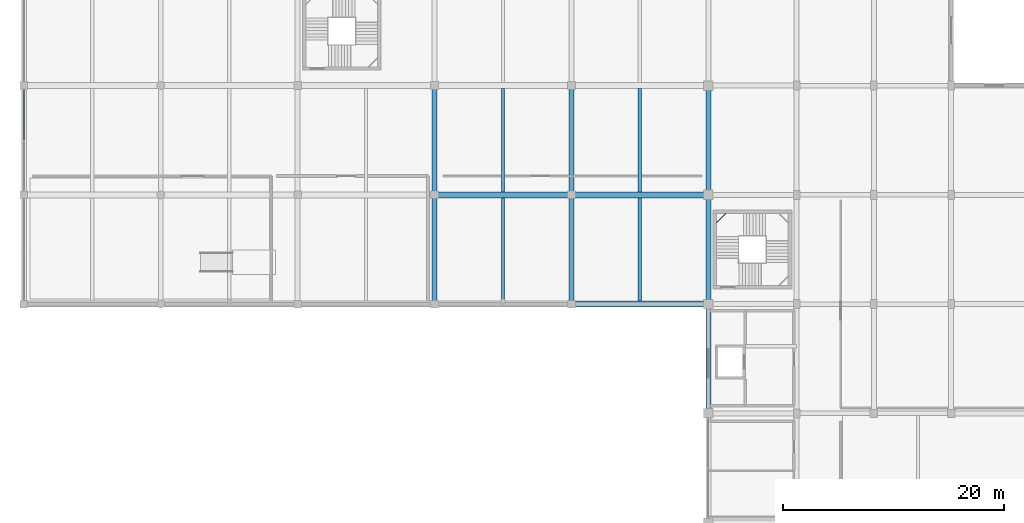
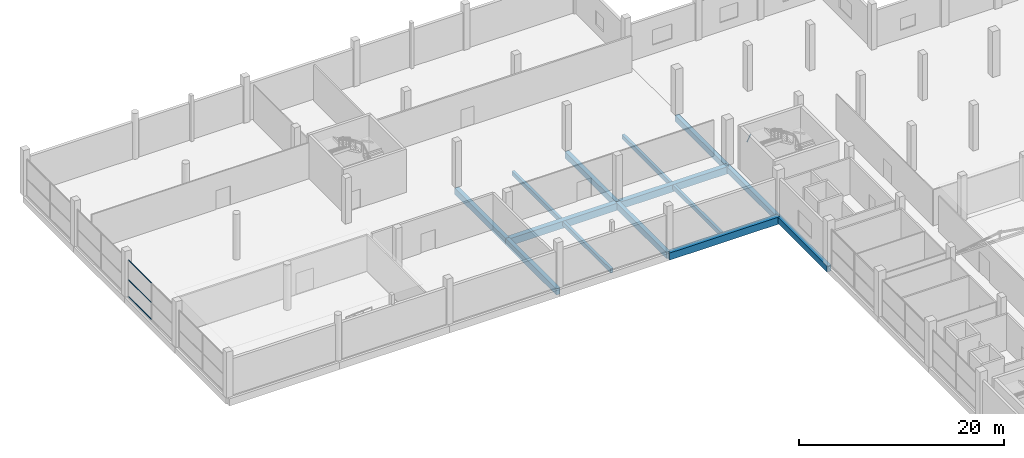
# One storey, part 21 of 72: 15 beams, 3 members, 1 element without a shape of its own.
"""IFC4 building model written with IfcOpenShell, lengths in metres."""

from ifc_helpers import new_model, si_unit, direction, frame, origin, origin_2d, place, context, subcontext, project, spatial, rectangle, hollow_rectangle, extrude, material, layer, layer_set, material_profile, profile_set, type_object, element, aggregate, save


model = new_model("IFC4")

# Units and contexts
model_context = context("Model", 3, precision=1e-05, world=origin(), true_north=direction((0.0, 1.0)))
body_context = subcontext(model_context, "Body", "Model", "MODEL_VIEW")
ifc_project = project(units=[si_unit("LENGTHUNIT", "METRE"), si_unit("AREAUNIT", "SQUARE_METRE"), si_unit("VOLUMEUNIT", "CUBIC_METRE"), si_unit("PLANEANGLEUNIT", "RADIAN"), si_unit("MASSUNIT", "GRAM", prefix="KILO")], contexts=[model_context])

# Site, building, storey
site_placement = place(None, origin())
site = spatial("IfcSite", under=ifc_project, at=site_placement, CompositionType="ELEMENT")
building_placement = place(site_placement, origin())
building = spatial("IfcBuilding", under=site, at=building_placement, Name="Sillaruma Civic Art Gallery", CompositionType="ELEMENT")
storey_placement = place(building_placement, frame((0.0, 0.0, 10.8798828125)))
storey = spatial("IfcBuildingStorey", under=building, at=storey_placement, Name="L02", CompositionType="ELEMENT", Elevation=10.8798828125)

# Beams
ifc_material_1 = material(Name="Concrete H40 (40 MPa)", Category="concrete")
ifc_material_profile_1 = material_profile(ifc_material_1, rectangle(XDim=0.449951171875, YDim=0.75, at=origin_2d()), Name="RCB450x750")
ifc_profile_set_1 = profile_set([ifc_material_profile_1], Name="Concrete H40 (40 MPa)")
beam_type_1 = type_object("IfcBeamType", Name="BM-BEAM-RCB450x750", PredefinedType="BEAM", material=ifc_profile_set_1)
beam_1_placement = place(storey_placement, frame((37.199951171875, 79.199951171875, -0.634765625), z_axis=(0.0, 1.0, 0.0), x_axis=(-1.0, 0.0, 0.0)))
element("IfcBeam", 1, at=beam_1_placement, inside=storey, type_object=beam_type_1, Name="Beam BM-03 (L01:D:9-10)", PredefinedType="BEAM", context=body_context, shape_type="SweptSolid", body=[
    extrude(rectangle(XDim=0.449951171875, YDim=0.75, at=origin_2d()), origin(), (0.0, 0.0, 1.0), 9.900146484375),
])
beam_2_placement = place(storey_placement, frame((37.199951171875, 89.10009765625, -0.634765625), z_axis=(0.0, 1.0, 0.0), x_axis=(-1.0, 0.0, 0.0)))
element("IfcBeam", 2, at=beam_2_placement, inside=storey, type_object=beam_type_1, Name="Beam BM-03 (L01:D:10-11)", PredefinedType="BEAM", context=body_context, shape_type="SweptSolid", body=[
    extrude(rectangle(XDim=0.449951171875, YDim=0.75, at=origin_2d()), origin(), (0.0, 0.0, 1.0), 9.89990234375),
])
beam_3_placement = place(storey_placement, frame((49.60009765625, 79.199951171875, -0.634765625), z_axis=(0.0, 1.0, 0.0), x_axis=(-1.0, 0.0, 0.0)))
element("IfcBeam", 3, at=beam_3_placement, inside=storey, type_object=beam_type_1, Name="Beam BM-03 (L01:E:9-10)", PredefinedType="BEAM", context=body_context, shape_type="SweptSolid", body=[
    extrude(rectangle(XDim=0.449951171875, YDim=0.75, at=origin_2d()), origin(), (0.0, 0.0, 1.0), 9.900146484375),
])
beam_4_placement = place(storey_placement, frame((49.60009765625, 89.10009765625, -0.634765625), z_axis=(0.0, 1.0, 0.0), x_axis=(-1.0, 0.0, 0.0)))
element("IfcBeam", 4, at=beam_4_placement, inside=storey, type_object=beam_type_1, Name="Beam BM-03 (L01:E:10-11)", PredefinedType="BEAM", context=body_context, shape_type="SweptSolid", body=[
    extrude(rectangle(XDim=0.449951171875, YDim=0.75, at=origin_2d()), origin(), (0.0, 0.0, 1.0), 9.89990234375),
])
ifc_material_profile_2 = material_profile(ifc_material_1, rectangle(XDim=0.550048828125, YDim=0.85009765625, at=origin_2d()), Name="RCB550x850")
ifc_profile_set_2 = profile_set([ifc_material_profile_2], Name="Concrete H40 (40 MPa)")
beam_type_2 = type_object("IfcBeamType", Name="BM-BEAM-RCB550x850", PredefinedType="BEAM", material=ifc_profile_set_2)
beam_5_placement = place(storey_placement, frame((49.60009765625, 79.199951171875, -0.684814453125), z_axis=(1.0, 0.0, 0.0), x_axis=(0.0, 1.0, 0.0)))
element("IfcBeam", 5, at=beam_5_placement, inside=storey, type_object=beam_type_2, Name="Beam BM-01 (L01:9:E-F)", PredefinedType="BEAM", context=body_context, shape_type="SweptSolid", body=[
    extrude(rectangle(XDim=0.550048828125, YDim=0.85009765625, at=origin_2d()), origin(), (0.0, 0.0, 1.0), 12.39990234375),
])
beam_6_placement = place(storey_placement, frame((37.199951171875, 89.10009765625, -0.684814453125), z_axis=(1.0, 0.0, 0.0), x_axis=(0.0, 1.0, 0.0)))
element("IfcBeam", 6, at=beam_6_placement, inside=storey, type_object=beam_type_2, Name="Beam BM-01 (L01:10:D-E)", PredefinedType="BEAM", context=body_context, shape_type="SweptSolid", body=[
    extrude(rectangle(XDim=0.550048828125, YDim=0.85009765625, at=origin_2d()), origin(), (0.0, 0.0, 1.0), 12.400146484375),
])
beam_7_placement = place(storey_placement, frame((49.60009765625, 89.10009765625, -0.684814453125), z_axis=(1.0, 0.0, 0.0), x_axis=(0.0, 1.0, 0.0)))
element("IfcBeam", 7, at=beam_7_placement, inside=storey, type_object=beam_type_2, Name="Beam BM-01 (L01:10:E-F)", PredefinedType="BEAM", context=body_context, shape_type="SweptSolid", body=[
    extrude(rectangle(XDim=0.550048828125, YDim=0.85009765625, at=origin_2d()), origin(), (0.0, 0.0, 1.0), 12.39990234375),
])
ifc_material_2 = material(Name="Concrete H35 (35 MPa)", Category="concrete")
ifc_material_profile_3 = material_profile(ifc_material_2, rectangle(XDim=0.300048828125, YDim=0.52001953125, at=origin_2d()), Name="RCB300x520")
ifc_profile_set_3 = profile_set([ifc_material_profile_3], Name="Concrete H35 (35 MPa)")
beam_type_3 = type_object("IfcBeamType", Name="BM-JOIST-RCB300x520", PredefinedType="JOIST", material=ifc_profile_set_3)
for number, where, z_axis, x_axis, name in (
    (8, (43.39990234375, 79.47509765625, -0.519775390625), (0.0, 1.0, 0.0), (-1.0, 0.0, 0.0), "Floor Joist JR-01 (L01:DE:9-10)"),
    (9, (55.800048828125, 79.47509765625, -0.519775390625), (0.0, 1.0, 0.0), (-1.0, 0.0, 0.0), "Floor Joist JR-01 (L01:EF:9-10)"),
):
    element("IfcBeam", number, at=place(storey_placement, frame(where, z_axis=z_axis, x_axis=x_axis)), inside=storey, type_object=beam_type_3, Name=name, PredefinedType="JOIST", context=body_context, shape_type="SweptSolid", body=[
        extrude(rectangle(XDim=0.300048828125, YDim=0.52001953125, at=origin_2d()), origin(), (0.0, 0.0, 1.0), 9.349853515625),
    ])
for number, where, z_axis, x_axis, name in (
    (10, (43.39990234375, 89.375, -0.519775390625), (0.0, 1.0, 0.0), (-1.0, 0.0, 0.0), "Floor Joist JR-01 (L01:DE:10-11)"),
    (11, (55.800048828125, 89.375, -0.519775390625), (0.0, 1.0, 0.0), (-1.0, 0.0, 0.0), "Floor Joist JR-01 (L01:EF:10-11)"),
):
    element("IfcBeam", number, at=place(storey_placement, frame(where, z_axis=z_axis, x_axis=x_axis)), inside=storey, type_object=beam_type_3, Name=name, PredefinedType="JOIST", context=body_context, shape_type="SweptSolid", body=[
        extrude(rectangle(XDim=0.300048828125, YDim=0.52001953125, at=origin_2d()), origin(), (0.0, 0.0, 1.0), 9.35009765625),
    ])
ifc_material_3 = material(Name="Structural Steel ASTM A500 Gr.C", Category="steel")
ifc_material_profile_4 = material_profile(ifc_material_3, hollow_rectangle(XDim=0.080078125, YDim=0.159912109375, WallThickness=0.008056640625, InnerFilletRadius=0.008056640625, OuterFilletRadius=0.01611328125, at=origin_2d()), Name="HSS160x80x8")
ifc_profile_set_4 = profile_set([ifc_material_profile_4], Name="Structural Steel ASTM A500 Gr.C")
beam_type_4 = type_object("IfcBeamType", Name="BM-LND-HSS160", PredefinedType="BEAM", material=ifc_profile_set_4)
beam_8_placement = place(storey_placement, frame((62.719970703125, 86.5400390625, 3.800048828125), z_axis=(0.707203758046, 0.707009791025, 0.0), x_axis=(-0.707009791025, 0.707203758046, 0.0)))
element("IfcBeam", 12, at=beam_8_placement, inside=storey, type_object=beam_type_4, Name="Stair Corner Landing Trimmer Beam (ST-02-L02-3)", PredefinedType="BEAM", context=body_context, shape_type="SweptSolid", body=[
    extrude(hollow_rectangle(XDim=0.080078125, YDim=0.159912109375, WallThickness=0.008056640625, InnerFilletRadius=0.008056640625, OuterFilletRadius=0.01611328125, at=origin_2d()), origin(), (0.0, 0.0, 1.0), 1.2587890625),
])
ifc_material_profile_5 = material_profile(ifc_material_2, rectangle(XDim=0.449951171875, YDim=0.699951171875, at=origin_2d()), Name="RCB450x700")
ifc_profile_set_5 = profile_set([ifc_material_profile_5], Name="Concrete H35 (35 MPa)")
beam_type_5 = type_object("IfcBeamType", Name="BM-SPANDREL-RCB450x700", PredefinedType="SPANDREL", material=ifc_profile_set_5)
beam_9_placement = place(storey_placement, frame((62.0, 69.300048828125, -0.60986328125), z_axis=(0.0, 1.0, 0.0), x_axis=(-1.0, 0.0, 0.0)))
element("IfcBeam", 13, at=beam_9_placement, inside=storey, type_object=beam_type_5, Name="Beam BS-03 (L01:F:8-9)", PredefinedType="SPANDREL", context=body_context, shape_type="SweptSolid", body=[
    extrude(rectangle(XDim=0.449951171875, YDim=0.699951171875, at=origin_2d()), origin(), (0.0, 0.0, 1.0), 9.89990234375),
])
beam_10_placement = place(storey_placement, frame((62.0, 79.199951171875, -0.60986328125), z_axis=(0.0, 1.0, 0.0), x_axis=(-1.0, 0.0, 0.0)))
element("IfcBeam", 14, at=beam_10_placement, inside=storey, type_object=beam_type_5, Name="Beam BS-03 (L01:F:9-10)", PredefinedType="SPANDREL", context=body_context, shape_type="SweptSolid", body=[
    extrude(rectangle(XDim=0.449951171875, YDim=0.699951171875, at=origin_2d()), origin(), (0.0, 0.0, 1.0), 9.900146484375),
])
beam_11_placement = place(storey_placement, frame((62.0, 89.10009765625, -0.60986328125), z_axis=(0.0, 1.0, 0.0), x_axis=(-1.0, 0.0, 0.0)))
element("IfcBeam", 15, at=beam_11_placement, inside=storey, type_object=beam_type_5, Name="Beam BS-03 (L01:F:10-11)", PredefinedType="SPANDREL", context=body_context, shape_type="SweptSolid", body=[
    extrude(rectangle(XDim=0.449951171875, YDim=0.699951171875, at=origin_2d()), origin(), (0.0, 0.0, 1.0), 9.89990234375),
])

# Curtain wall, members
ifc_material_4 = material(Name="Thermally Broken Extruded Aluminium 6063-T6", Category="aluminium")
ifc_layer = layer(ifc_material_4, 0.179931640625, Name="Thermally Broken Extruded Aluminium 6063-T6")
ifc_layer_set = layer_set([ifc_layer], Name="Thermally Broken Extruded Aluminium 6063-T6")
curtain_wall_type = type_object("IfcCurtainWallType", Name="CW-UNI-09", PredefinedType="NOTDEFINED", material=ifc_layer_set)
curtain_wall_placement = place(storey_placement, origin())
curtain_wall = element("IfcCurtainWall", 16, at=curtain_wall_placement, inside=storey, type_object=curtain_wall_type, Name="Unitised Curtain Wall CW-09 (CW-L02-WSTR-2)", PredefinedType="NOTDEFINED")
ifc_material_profile_6 = material_profile(ifc_material_4, hollow_rectangle(XDim=0.06494140625, YDim=0.1201171875, WallThickness=0.00341796875, at=origin_2d()), Name="CWT65x120")
ifc_profile_set_6 = profile_set([ifc_material_profile_6], Name="Thermally Broken Extruded Aluminium 6063-T6")
member_type = type_object("IfcMemberType", Name="MEM-TRN-CWT65x120", PredefinedType="USERDEFINED", material=ifc_profile_set_6)
member_1_placement = place(storey_placement, frame((0.0, 94.0849609375, 0.03271484375), z_axis=(0.0, 1.0, 0.0), x_axis=(-1.0, 0.0, 0.0)))
member_1 = element("IfcMember", 17, at=member_1_placement, type_object=member_type, Name="CW-09 transom 2.1", ObjectType="TRANSOM", PredefinedType="USERDEFINED", context=body_context, shape_type="SweptSolid", body=[
    extrude(hollow_rectangle(XDim=0.06494140625, YDim=0.1201171875, WallThickness=0.00341796875, at=origin_2d()), origin(), (0.0, 0.0, 1.0), 4.4951171875),
])
member_2_placement = place(storey_placement, frame((0.0, 94.0849609375, 2.014892578125), z_axis=(0.0, 1.0, 0.0), x_axis=(-1.0, 0.0, 0.0)))
member_2 = element("IfcMember", 18, at=member_2_placement, type_object=member_type, Name="CW-09 transom 2.2", ObjectType="TRANSOM", PredefinedType="USERDEFINED", context=body_context, shape_type="SweptSolid", body=[
    extrude(hollow_rectangle(XDim=0.06494140625, YDim=0.1201171875, WallThickness=0.00341796875, at=origin_2d()), origin(), (0.0, 0.0, 1.0), 4.4951171875),
])
member_3_placement = place(storey_placement, frame((0.0, 94.0849609375, 4.34765625), z_axis=(0.0, 1.0, 0.0), x_axis=(-1.0, 0.0, 0.0)))
member_3 = element("IfcMember", 19, at=member_3_placement, type_object=member_type, Name="CW-09 transom 2.3", ObjectType="TRANSOM", PredefinedType="USERDEFINED", context=body_context, shape_type="SweptSolid", body=[
    extrude(hollow_rectangle(XDim=0.06494140625, YDim=0.1201171875, WallThickness=0.00341796875, at=origin_2d()), origin(), (0.0, 0.0, 1.0), 4.4951171875),
])
aggregate(curtain_wall, [member_1, member_2, member_3])

save(model, "model.ifc")
